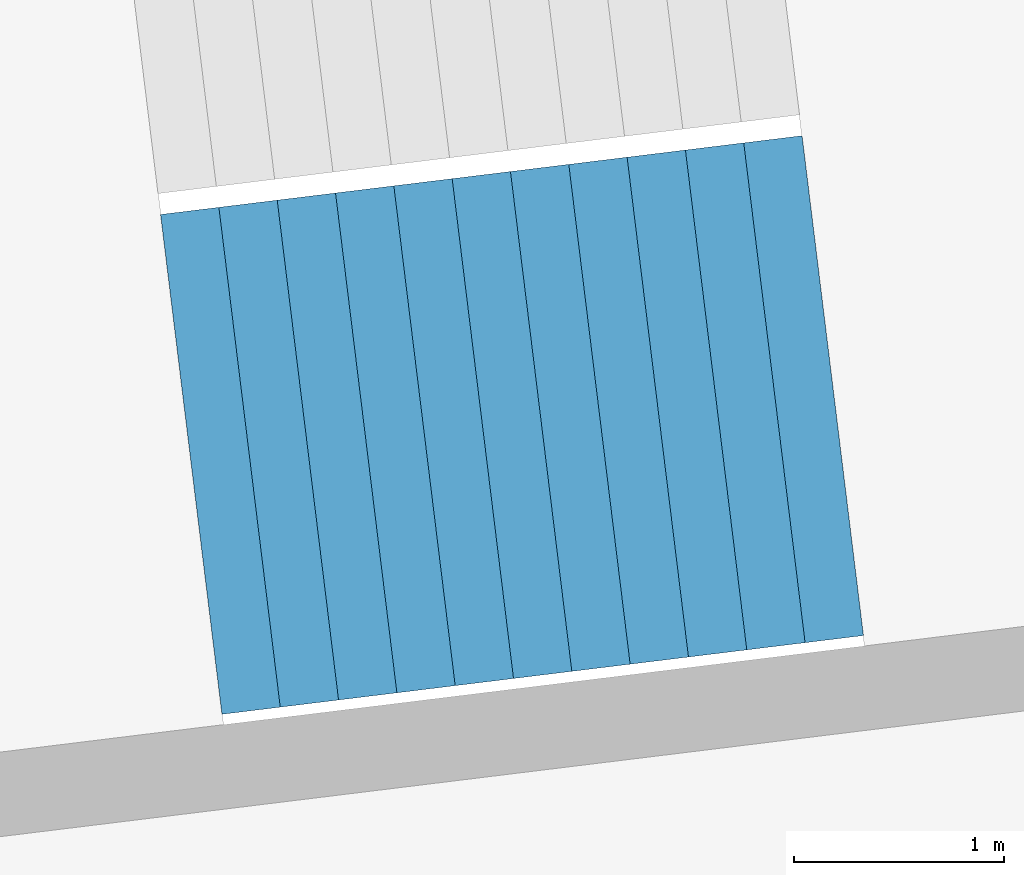
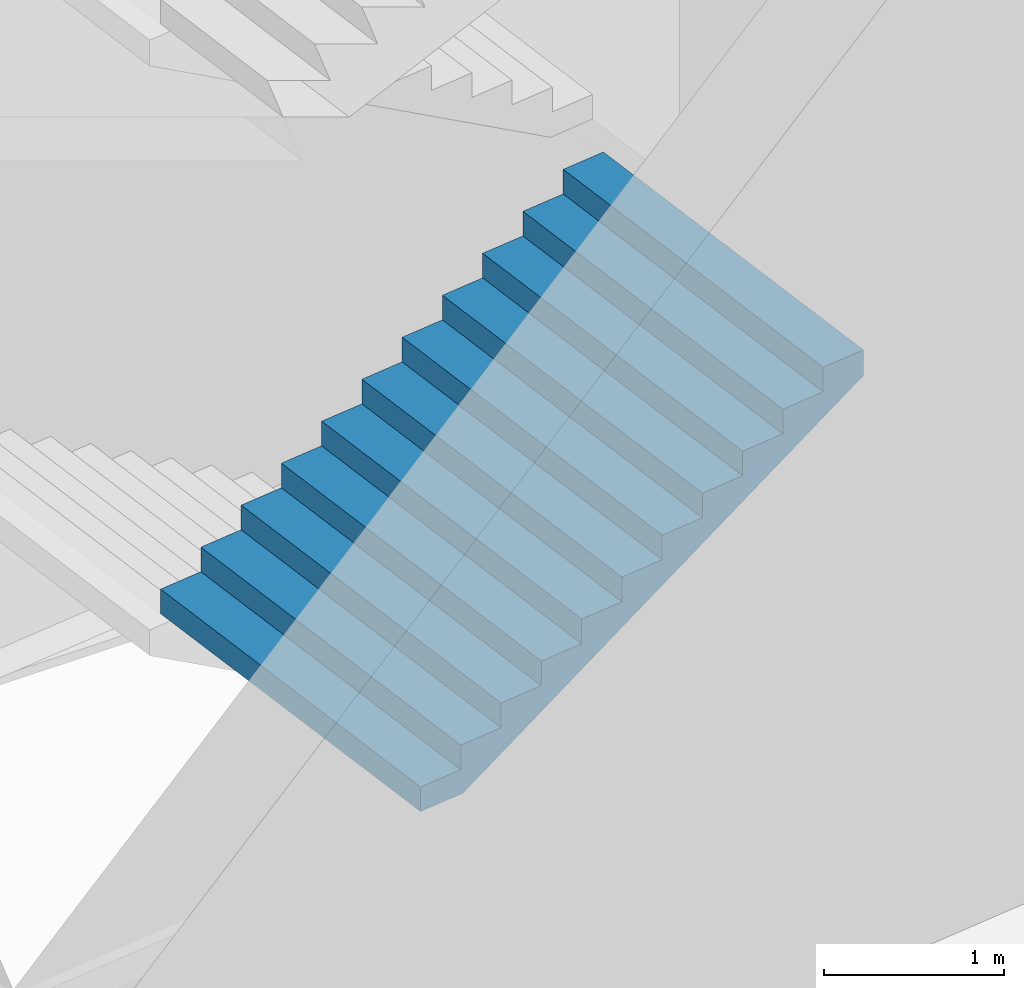
# One storey, part 22 of 74: 1 stair flight, 1 element without a shape of its own.
"""IFC4 building model written with IfcOpenShell, lengths in metres."""

from ifc_helpers import new_model, si_unit, direction, frame, origin, place, context, subcontext, project, spatial, triangles, material, type_object, element, aggregate, save


model = new_model("IFC4")

# Units and contexts
model_context = context("Model", 3, precision=1e-05, world=origin(), true_north=direction((0.0, 1.0)))
body_context = subcontext(model_context, "Body", "Model", "MODEL_VIEW")
ifc_project = project(units=[si_unit("LENGTHUNIT", "METRE"), si_unit("AREAUNIT", "SQUARE_METRE"), si_unit("VOLUMEUNIT", "CUBIC_METRE"), si_unit("PLANEANGLEUNIT", "RADIAN"), si_unit("MASSUNIT", "GRAM", prefix="KILO")], contexts=[model_context])

# Site, building, storey
site_placement = place(None, origin())
site = spatial("IfcSite", under=ifc_project, at=site_placement, CompositionType="ELEMENT")
building_placement = place(site_placement, origin())
building = spatial("IfcBuilding", under=site, at=building_placement, Name="Lantaw Convention Tower", CompositionType="ELEMENT")
storey_placement = place(building_placement, frame((0.0, 0.0, 6.5)))
storey = spatial("IfcBuildingStorey", under=building, at=storey_placement, Name="L01", CompositionType="ELEMENT", Elevation=6.5)

# Stair, stair flight
ifc_material = material(Name="Concrete C35/45", Category="concrete")
stair_type = type_object("IfcStairType", Name="Exit stair 2400 riser 166.67 in 4 flights", PredefinedType="HALF_TURN_STAIR", material=ifc_material)
stair_placement = place(storey_placement, origin())
stair = element("IfcStair", 1, at=stair_placement, inside=storey, type_object=stair_type, Name="Podium exit stair P10 L01", PredefinedType="HALF_TURN_STAIR")
stair_flight_type = type_object("IfcStairFlightType", Name="Stair flight 2400 riser 166.67", PredefinedType="STRAIGHT", material=ifc_material)
stair_flight_placement = place(storey_placement, frame((-37.91455078125, -5.914794921875, 2.0), z_axis=(0.0, 0.0, 1.0), x_axis=(0.992546151641, 0.121869343405, 0.0)))
stair_flight = element("IfcStairFlight", 2, at=stair_flight_placement, type_object=stair_flight_type, Name="P10 flight 2", NumberOfRisers=12, NumberOfTreads=11, PredefinedType="STRAIGHT", RiserHeight=0.166666667, TreadLength=0.28, context=body_context, shape_type="Tessellation", body=[
    triangles([(0.0, 1.199951171875, 0.0), (0.0, 1.199951171875, 0.166666667), (0.28, 1.199951171875, 0.0), (0.28, 1.199951171875, 0.166666667), (0.28, 1.199951171875, 0.333333334), (0.29307345806906726, 1.199951171875, 0.0), (0.29307345806906726, 1.199951171875, 0.333333334), (0.56, 1.199951171875, 0.15888484670522965), (0.56, 1.199951171875, 0.333333334), (0.56, 1.199951171875, 0.500000001), (0.8400000000000001, 1.199951171875, 0.3255515137052296), (0.8400000000000001, 1.199951171875, 0.500000001), (0.8400000000000001, 1.199951171875, 0.666666668), (1.12, 1.199951171875, 0.4922181807052296), (1.12, 1.199951171875, 0.666666668), (1.12, 1.199951171875, 0.833333335), (1.4000000000000001, 1.199951171875, 0.6588848477052296), (1.4000000000000001, 1.199951171875, 0.833333335), (1.4000000000000001, 1.199951171875, 1.000000002), (1.6800000000000002, 1.199951171875, 0.8255515147052296), (1.6800000000000002, 1.199951171875, 1.000000002), (1.6800000000000002, 1.199951171875, 1.166666669), (1.9600000000000002, 1.199951171875, 0.9922181817052296), (1.9600000000000002, 1.199951171875, 1.166666669), (1.9600000000000002, 1.199951171875, 1.333333336), (2.24, 1.199951171875, 1.1588848487052295), (2.24, 1.199951171875, 1.333333336), (2.24, 1.199951171875, 1.5000000029999998), (2.5200000000000005, 1.199951171875, 1.3255515157052296), (2.5200000000000005, 1.199951171875, 1.5000000029999998), (2.5200000000000005, 1.199951171875, 1.66666667), (2.8000000000000003, 1.199951171875, 1.4922181827052294), (2.8000000000000003, 1.199951171875, 1.66666667), (2.8000000000000003, 1.199951171875, 1.833333337), (3.08, 1.199951171875, 1.6588848497052293), (3.08, 1.199951171875, 1.833333337), (0.0, -1.199951171875, 0.0), (0.0, -1.199951171875, 0.166666667), (0.28, -1.199951171875, 0.0), (0.28, -1.199951171875, 0.166666667), (0.28, -1.199951171875, 0.333333334), (0.29307345806906726, -1.199951171875, 0.0), (0.29307345806906726, -1.199951171875, 0.333333334), (0.56, -1.199951171875, 0.15888484670522965), (0.56, -1.199951171875, 0.333333334), (0.56, -1.199951171875, 0.500000001), (0.8400000000000001, -1.199951171875, 0.3255515137052296), (0.8400000000000001, -1.199951171875, 0.500000001), (0.8400000000000001, -1.199951171875, 0.666666668), (1.12, -1.199951171875, 0.4922181807052296), (1.12, -1.199951171875, 0.666666668), (1.12, -1.199951171875, 0.833333335), (1.4000000000000001, -1.199951171875, 0.6588848477052296), (1.4000000000000001, -1.199951171875, 0.833333335), (1.4000000000000001, -1.199951171875, 1.000000002), (1.6800000000000002, -1.199951171875, 0.8255515147052296), (1.6800000000000002, -1.199951171875, 1.000000002), (1.6800000000000002, -1.199951171875, 1.166666669), (1.9600000000000002, -1.199951171875, 0.9922181817052296), (1.9600000000000002, -1.199951171875, 1.166666669), (1.9600000000000002, -1.199951171875, 1.333333336), (2.24, -1.199951171875, 1.1588848487052295), (2.24, -1.199951171875, 1.333333336), (2.24, -1.199951171875, 1.5000000029999998), (2.5200000000000005, -1.199951171875, 1.3255515157052296), (2.5200000000000005, -1.199951171875, 1.5000000029999998), (2.5200000000000005, -1.199951171875, 1.66666667), (2.8000000000000003, -1.199951171875, 1.4922181827052294), (2.8000000000000003, -1.199951171875, 1.66666667), (2.8000000000000003, -1.199951171875, 1.833333337), (3.08, -1.199951171875, 1.6588848497052293), (3.08, -1.199951171875, 1.833333337), (0.0, 0.239990234375, 0.166666667), (0.0, 0.239990234375, 0.0), (0.0, 0.1199951171875, 0.166666667), (0.0, 0.1199951171875, 0.0), (0.0, 0.0, 0.166666667), (0.0, 0.0, 0.0), (0.0, -0.1199951171875, 0.166666667), (0.0, -0.1199951171875, 0.0), (0.0, -0.239990234375, 0.166666667), (0.0, -0.239990234375, 0.0), (0.28, 0.239990234375, 0.333333334), (0.28, 0.239990234375, 0.166666667), (0.28, 0.1199951171875, 0.333333334), (0.28, 0.1199951171875, 0.166666667), (0.28, 0.0, 0.333333334), (0.28, 0.0, 0.166666667), (0.28, -0.1199951171875, 0.333333334), (0.28, -0.1199951171875, 0.166666667), (0.28, -0.239990234375, 0.333333334), (0.28, -0.239990234375, 0.166666667), (0.56, 0.239990234375, 0.500000001), (0.56, 0.239990234375, 0.333333334), (0.56, 0.1199951171875, 0.500000001), (0.56, 0.1199951171875, 0.333333334), (0.56, 0.0, 0.500000001), (0.56, 0.0, 0.333333334), (0.56, -0.1199951171875, 0.500000001), (0.56, -0.1199951171875, 0.333333334), (0.56, -0.239990234375, 0.500000001), (0.56, -0.239990234375, 0.333333334), (0.8400000000000001, 0.239990234375, 0.666666668), (0.8400000000000001, 0.239990234375, 0.500000001), (0.8400000000000001, 0.1199951171875, 0.666666668), (0.8400000000000001, 0.1199951171875, 0.500000001), (0.8400000000000001, 0.0, 0.666666668), (0.8400000000000001, 0.0, 0.500000001), (0.8400000000000001, -0.1199951171875, 0.666666668), (0.8400000000000001, -0.1199951171875, 0.500000001), (0.8400000000000001, -0.239990234375, 0.666666668), (0.8400000000000001, -0.239990234375, 0.500000001), (1.12, 0.239990234375, 0.833333335), (1.12, 0.239990234375, 0.666666668), (1.12, 0.1199951171875, 0.833333335), (1.12, 0.1199951171875, 0.666666668), (1.12, 0.0, 0.833333335), (1.12, 0.0, 0.666666668), (1.12, -0.1199951171875, 0.833333335), (1.12, -0.1199951171875, 0.666666668), (1.12, -0.239990234375, 0.833333335), (1.12, -0.239990234375, 0.666666668), (1.4000000000000001, 0.239990234375, 1.000000002), (1.4000000000000001, 0.239990234375, 0.833333335), (1.4000000000000001, 0.1199951171875, 1.000000002), (1.4000000000000001, 0.1199951171875, 0.833333335), (1.4000000000000001, 0.0, 1.000000002), (1.4000000000000001, 0.0, 0.833333335), (1.4000000000000001, -0.1199951171875, 1.000000002), (1.4000000000000001, -0.1199951171875, 0.833333335), (1.4000000000000001, -0.239990234375, 1.000000002), (1.4000000000000001, -0.239990234375, 0.833333335), (1.6800000000000002, 0.239990234375, 1.166666669), (1.6800000000000002, 0.239990234375, 1.000000002), (1.6800000000000002, 0.1199951171875, 1.166666669), (1.6800000000000002, 0.1199951171875, 1.000000002), (1.6800000000000002, 0.0, 1.166666669), (1.6800000000000002, 0.0, 1.000000002), (1.6800000000000002, -0.1199951171875, 1.166666669), (1.6800000000000002, -0.1199951171875, 1.000000002), (1.6800000000000002, -0.239990234375, 1.166666669), (1.6800000000000002, -0.239990234375, 1.000000002), (1.9600000000000002, 0.239990234375, 1.333333336), (1.9600000000000002, 0.239990234375, 1.166666669), (1.9600000000000002, 0.1199951171875, 1.333333336), (1.9600000000000002, 0.1199951171875, 1.166666669), (1.9600000000000002, 0.0, 1.333333336), (1.9600000000000002, 0.0, 1.166666669), (1.9600000000000002, -0.1199951171875, 1.333333336), (1.9600000000000002, -0.1199951171875, 1.166666669), (1.9600000000000002, -0.239990234375, 1.333333336), (1.9600000000000002, -0.239990234375, 1.166666669), (2.24, 0.239990234375, 1.5000000029999998), (2.24, 0.239990234375, 1.333333336), (2.24, 0.1199951171875, 1.5000000029999998), (2.24, 0.1199951171875, 1.333333336), (2.24, 0.0, 1.5000000029999998), (2.24, 0.0, 1.333333336), (2.24, -0.1199951171875, 1.5000000029999998), (2.24, -0.1199951171875, 1.333333336), (2.24, -0.239990234375, 1.5000000029999998), (2.24, -0.239990234375, 1.333333336), (2.5200000000000005, 0.239990234375, 1.66666667), (2.5200000000000005, 0.239990234375, 1.5000000029999998), (2.5200000000000005, 0.1199951171875, 1.66666667), (2.5200000000000005, 0.1199951171875, 1.5000000029999998), (2.5200000000000005, 0.0, 1.66666667), (2.5200000000000005, 0.0, 1.5000000029999998), (2.5200000000000005, -0.1199951171875, 1.66666667), (2.5200000000000005, -0.1199951171875, 1.5000000029999998), (2.5200000000000005, -0.239990234375, 1.66666667), (2.5200000000000005, -0.239990234375, 1.5000000029999998), (2.8000000000000003, 0.239990234375, 1.833333337), (2.8000000000000003, 0.239990234375, 1.66666667), (2.8000000000000003, 0.1199951171875, 1.833333337), (2.8000000000000003, 0.1199951171875, 1.66666667), (2.8000000000000003, 0.0, 1.833333337), (2.8000000000000003, 0.0, 1.66666667), (2.8000000000000003, -0.1199951171875, 1.833333337), (2.8000000000000003, -0.1199951171875, 1.66666667), (2.8000000000000003, -0.239990234375, 1.833333337), (2.8000000000000003, -0.239990234375, 1.66666667), (0.29307345806906726, 0.239990234375, 0.333333334), (0.29307345806906726, 0.1199951171875, 0.333333334), (0.29307345806906726, 0.0, 0.333333334), (0.29307345806906726, -0.1199951171875, 0.333333334), (0.29307345806906726, -0.239990234375, 0.333333334), (3.08, 0.239990234375, 1.833333337), (3.08, 0.1199951171875, 1.833333337), (3.08, 0.0, 1.833333337), (3.08, -0.1199951171875, 1.833333337), (3.08, -0.239990234375, 1.833333337), (3.08, 0.239990234375, 1.6588848497052293), (3.08, 0.1199951171875, 1.6588848497052293), (3.08, 0.0, 1.6588848497052293), (3.08, -0.1199951171875, 1.6588848497052293), (3.08, -0.239990234375, 1.6588848497052293), (2.8000000000000003, 0.239990234375, 1.4922181827052294), (2.8000000000000003, 0.1199951171875, 1.4922181827052294), (2.8000000000000003, 0.0, 1.4922181827052294), (2.8000000000000003, -0.1199951171875, 1.4922181827052294), (2.8000000000000003, -0.239990234375, 1.4922181827052294), (2.5200000000000005, 0.239990234375, 1.3255515157052296), (2.5200000000000005, 0.1199951171875, 1.3255515157052296), (2.5200000000000005, 0.0, 1.3255515157052296), (2.5200000000000005, -0.1199951171875, 1.3255515157052296), (2.5200000000000005, -0.239990234375, 1.3255515157052296), (2.24, 0.239990234375, 1.1588848487052295), (2.24, 0.1199951171875, 1.1588848487052295), (2.24, 0.0, 1.1588848487052295), (2.24, -0.1199951171875, 1.1588848487052295), (2.24, -0.239990234375, 1.1588848487052295), (1.9600000000000002, 0.239990234375, 0.9922181817052296), (1.9600000000000002, 0.1199951171875, 0.9922181817052296), (1.9600000000000002, 0.0, 0.9922181817052296), (1.9600000000000002, -0.1199951171875, 0.9922181817052296), (1.9600000000000002, -0.239990234375, 0.9922181817052296), (1.6800000000000002, 0.239990234375, 0.8255515147052296), (1.6800000000000002, 0.1199951171875, 0.8255515147052296), (1.6800000000000002, 0.0, 0.8255515147052296), (1.6800000000000002, -0.1199951171875, 0.8255515147052296), (1.6800000000000002, -0.239990234375, 0.8255515147052296), (1.4000000000000001, 0.239990234375, 0.6588848477052296), (1.4000000000000001, 0.1199951171875, 0.6588848477052296), (1.4000000000000001, 0.0, 0.6588848477052296), (1.4000000000000001, -0.1199951171875, 0.6588848477052296), (1.4000000000000001, -0.239990234375, 0.6588848477052296), (1.12, 0.239990234375, 0.4922181807052296), (1.12, 0.1199951171875, 0.4922181807052296), (1.12, 0.0, 0.4922181807052296), (1.12, -0.1199951171875, 0.4922181807052296), (1.12, -0.239990234375, 0.4922181807052296), (0.8400000000000001, 0.239990234375, 0.3255515137052296), (0.8400000000000001, 0.1199951171875, 0.3255515137052296), (0.8400000000000001, 0.0, 0.3255515137052296), (0.8400000000000001, -0.1199951171875, 0.3255515137052296), (0.8400000000000001, -0.239990234375, 0.3255515137052296), (0.56, 0.239990234375, 0.15888484670522965), (0.56, 0.1199951171875, 0.15888484670522965), (0.56, 0.0, 0.15888484670522965), (0.56, -0.1199951171875, 0.15888484670522965), (0.56, -0.239990234375, 0.15888484670522965), (0.29307345806906726, 0.239990234375, 0.0), (0.29307345806906726, 0.1199951171875, 0.0), (0.29307345806906726, 0.0, 0.0), (0.29307345806906726, -0.1199951171875, 0.0), (0.29307345806906726, -0.239990234375, 0.0), (0.28, 0.239990234375, 0.0), (0.28, 0.1199951171875, 0.0), (0.28, 0.0, 0.0), (0.28, -0.1199951171875, 0.0), (0.28, -0.239990234375, 0.0)], [[1, 4, 3], [1, 2, 4], [3, 4, 6], [4, 7, 6], [4, 5, 7], [6, 9, 8], [6, 7, 9], [8, 9, 11], [9, 12, 11], [9, 10, 12], [11, 12, 14], [12, 15, 14], [12, 13, 15], [14, 15, 17], [15, 18, 17], [15, 16, 18], [17, 18, 20], [18, 21, 20], [18, 19, 21], [20, 21, 23], [21, 24, 23], [21, 22, 24], [23, 24, 26], [24, 27, 26], [24, 25, 27], [26, 27, 29], [27, 30, 29], [27, 28, 30], [29, 30, 32], [30, 33, 32], [30, 31, 33], [32, 33, 35], [33, 36, 35], [33, 34, 36], [37, 39, 40], [37, 40, 38], [39, 42, 40], [40, 42, 43], [40, 43, 41], [42, 44, 45], [42, 45, 43], [44, 47, 45], [45, 47, 48], [45, 48, 46], [47, 50, 48], [48, 50, 51], [48, 51, 49], [50, 53, 51], [51, 53, 54], [51, 54, 52], [53, 56, 54], [54, 56, 57], [54, 57, 55], [56, 59, 57], [57, 59, 60], [57, 60, 58], [59, 62, 60], [60, 62, 63], [60, 63, 61], [62, 65, 63], [63, 65, 66], [63, 66, 64], [65, 68, 66], [66, 68, 69], [66, 69, 67], [68, 71, 69], [69, 71, 72], [69, 72, 70], [1, 73, 2], [1, 74, 73], [74, 75, 73], [74, 76, 75], [76, 77, 75], [76, 78, 77], [78, 79, 77], [78, 80, 79], [80, 81, 79], [80, 82, 81], [82, 38, 81], [82, 37, 38], [4, 83, 5], [4, 84, 83], [84, 85, 83], [84, 86, 85], [86, 87, 85], [86, 88, 87], [88, 89, 87], [88, 90, 89], [90, 91, 89], [90, 92, 91], [92, 41, 91], [92, 40, 41], [9, 93, 10], [9, 94, 93], [94, 95, 93], [94, 96, 95], [96, 97, 95], [96, 98, 97], [98, 99, 97], [98, 100, 99], [100, 101, 99], [100, 102, 101], [102, 46, 101], [102, 45, 46], [12, 103, 13], [12, 104, 103], [104, 105, 103], [104, 106, 105], [106, 107, 105], [106, 108, 107], [108, 109, 107], [108, 110, 109], [110, 111, 109], [110, 112, 111], [112, 49, 111], [112, 48, 49], [15, 113, 16], [15, 114, 113], [114, 115, 113], [114, 116, 115], [116, 117, 115], [116, 118, 117], [118, 119, 117], [118, 120, 119], [120, 121, 119], [120, 122, 121], [122, 52, 121], [122, 51, 52], [18, 123, 19], [18, 124, 123], [124, 125, 123], [124, 126, 125], [126, 127, 125], [126, 128, 127], [128, 129, 127], [128, 130, 129], [130, 131, 129], [130, 132, 131], [132, 55, 131], [132, 54, 55], [21, 133, 22], [21, 134, 133], [134, 135, 133], [134, 136, 135], [136, 137, 135], [136, 138, 137], [138, 139, 137], [138, 140, 139], [140, 141, 139], [140, 142, 141], [142, 58, 141], [142, 57, 58], [24, 143, 25], [24, 144, 143], [144, 145, 143], [144, 146, 145], [146, 147, 145], [146, 148, 147], [148, 149, 147], [148, 150, 149], [150, 151, 149], [150, 152, 151], [152, 61, 151], [152, 60, 61], [27, 153, 28], [27, 154, 153], [154, 155, 153], [154, 156, 155], [156, 157, 155], [156, 158, 157], [158, 159, 157], [158, 160, 159], [160, 161, 159], [160, 162, 161], [162, 64, 161], [162, 63, 64], [30, 163, 31], [30, 164, 163], [164, 165, 163], [164, 166, 165], [166, 167, 165], [166, 168, 167], [168, 169, 167], [168, 170, 169], [170, 171, 169], [170, 172, 171], [172, 67, 171], [172, 66, 67], [33, 173, 34], [33, 174, 173], [174, 175, 173], [174, 176, 175], [176, 177, 175], [176, 178, 177], [178, 179, 177], [178, 180, 179], [180, 181, 179], [180, 182, 181], [182, 70, 181], [182, 69, 70], [2, 84, 4], [2, 73, 84], [73, 86, 84], [73, 75, 86], [75, 88, 86], [75, 77, 88], [77, 90, 88], [77, 79, 90], [79, 92, 90], [79, 81, 92], [81, 40, 92], [81, 38, 40], [5, 183, 7], [5, 83, 183], [83, 184, 183], [83, 85, 184], [85, 185, 184], [85, 87, 185], [87, 186, 185], [87, 89, 186], [89, 187, 186], [89, 91, 187], [91, 43, 187], [91, 41, 43], [7, 94, 9], [7, 183, 94], [183, 96, 94], [183, 184, 96], [184, 98, 96], [184, 185, 98], [185, 100, 98], [185, 186, 100], [186, 102, 100], [186, 187, 102], [187, 45, 102], [187, 43, 45], [10, 104, 12], [10, 93, 104], [93, 106, 104], [93, 95, 106], [95, 108, 106], [95, 97, 108], [97, 110, 108], [97, 99, 110], [99, 112, 110], [99, 101, 112], [101, 48, 112], [101, 46, 48], [13, 114, 15], [13, 103, 114], [103, 116, 114], [103, 105, 116], [105, 118, 116], [105, 107, 118], [107, 120, 118], [107, 109, 120], [109, 122, 120], [109, 111, 122], [111, 51, 122], [111, 49, 51], [16, 124, 18], [16, 113, 124], [113, 126, 124], [113, 115, 126], [115, 128, 126], [115, 117, 128], [117, 130, 128], [117, 119, 130], [119, 132, 130], [119, 121, 132], [121, 54, 132], [121, 52, 54], [19, 134, 21], [19, 123, 134], [123, 136, 134], [123, 125, 136], [125, 138, 136], [125, 127, 138], [127, 140, 138], [127, 129, 140], [129, 142, 140], [129, 131, 142], [131, 57, 142], [131, 55, 57], [22, 144, 24], [22, 133, 144], [133, 146, 144], [133, 135, 146], [135, 148, 146], [135, 137, 148], [137, 150, 148], [137, 139, 150], [139, 152, 150], [139, 141, 152], [141, 60, 152], [141, 58, 60], [25, 154, 27], [25, 143, 154], [143, 156, 154], [143, 145, 156], [145, 158, 156], [145, 147, 158], [147, 160, 158], [147, 149, 160], [149, 162, 160], [149, 151, 162], [151, 63, 162], [151, 61, 63], [28, 164, 30], [28, 153, 164], [153, 166, 164], [153, 155, 166], [155, 168, 166], [155, 157, 168], [157, 170, 168], [157, 159, 170], [159, 172, 170], [159, 161, 172], [161, 66, 172], [161, 64, 66], [31, 174, 33], [31, 163, 174], [163, 176, 174], [163, 165, 176], [165, 178, 176], [165, 167, 178], [167, 180, 178], [167, 169, 180], [169, 182, 180], [169, 171, 182], [171, 69, 182], [171, 67, 69], [34, 188, 36], [34, 173, 188], [173, 189, 188], [173, 175, 189], [175, 190, 189], [175, 177, 190], [177, 191, 190], [177, 179, 191], [179, 192, 191], [179, 181, 192], [181, 72, 192], [181, 70, 72], [36, 193, 35], [36, 188, 193], [188, 194, 193], [188, 189, 194], [189, 195, 194], [189, 190, 195], [190, 196, 195], [190, 191, 196], [191, 197, 196], [191, 192, 197], [192, 71, 197], [192, 72, 71], [35, 198, 32], [35, 193, 198], [193, 199, 198], [193, 194, 199], [194, 200, 199], [194, 195, 200], [195, 201, 200], [195, 196, 201], [196, 202, 201], [196, 197, 202], [197, 68, 202], [197, 71, 68], [32, 203, 29], [32, 198, 203], [198, 204, 203], [198, 199, 204], [199, 205, 204], [199, 200, 205], [200, 206, 205], [200, 201, 206], [201, 207, 206], [201, 202, 207], [202, 65, 207], [202, 68, 65], [29, 208, 26], [29, 203, 208], [203, 209, 208], [203, 204, 209], [204, 210, 209], [204, 205, 210], [205, 211, 210], [205, 206, 211], [206, 212, 211], [206, 207, 212], [207, 62, 212], [207, 65, 62], [26, 213, 23], [26, 208, 213], [208, 214, 213], [208, 209, 214], [209, 215, 214], [209, 210, 215], [210, 216, 215], [210, 211, 216], [211, 217, 216], [211, 212, 217], [212, 59, 217], [212, 62, 59], [23, 218, 20], [23, 213, 218], [213, 219, 218], [213, 214, 219], [214, 220, 219], [214, 215, 220], [215, 221, 220], [215, 216, 221], [216, 222, 221], [216, 217, 222], [217, 56, 222], [217, 59, 56], [20, 223, 17], [20, 218, 223], [218, 224, 223], [218, 219, 224], [219, 225, 224], [219, 220, 225], [220, 226, 225], [220, 221, 226], [221, 227, 226], [221, 222, 227], [222, 53, 227], [222, 56, 53], [17, 228, 14], [17, 223, 228], [223, 229, 228], [223, 224, 229], [224, 230, 229], [224, 225, 230], [225, 231, 230], [225, 226, 231], [226, 232, 231], [226, 227, 232], [227, 50, 232], [227, 53, 50], [14, 233, 11], [14, 228, 233], [228, 234, 233], [228, 229, 234], [229, 235, 234], [229, 230, 235], [230, 236, 235], [230, 231, 236], [231, 237, 236], [231, 232, 237], [232, 47, 237], [232, 50, 47], [11, 238, 8], [11, 233, 238], [233, 239, 238], [233, 234, 239], [234, 240, 239], [234, 235, 240], [235, 241, 240], [235, 236, 241], [236, 242, 241], [236, 237, 242], [237, 44, 242], [237, 47, 44], [8, 243, 6], [8, 238, 243], [238, 244, 243], [238, 239, 244], [239, 245, 244], [239, 240, 245], [240, 246, 245], [240, 241, 246], [241, 247, 246], [241, 242, 247], [242, 42, 247], [242, 44, 42], [6, 248, 3], [6, 243, 248], [243, 249, 248], [243, 244, 249], [244, 250, 249], [244, 245, 250], [245, 251, 250], [245, 246, 251], [246, 252, 251], [246, 247, 252], [247, 39, 252], [247, 42, 39], [3, 74, 1], [3, 248, 74], [248, 76, 74], [248, 249, 76], [249, 78, 76], [249, 250, 78], [250, 80, 78], [250, 251, 80], [251, 82, 80], [251, 252, 82], [252, 37, 82], [252, 39, 37]], closed=True),
])
aggregate(stair, [stair_flight])

save(model, "model.ifc")
